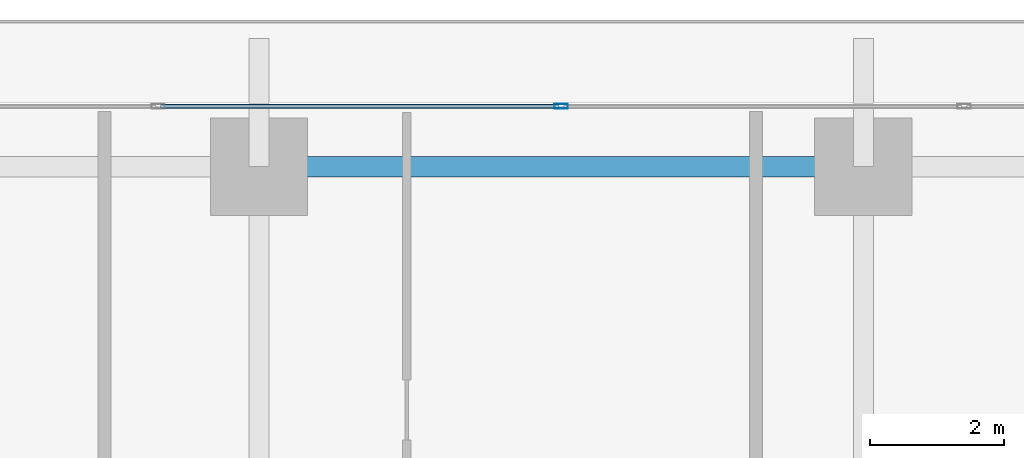
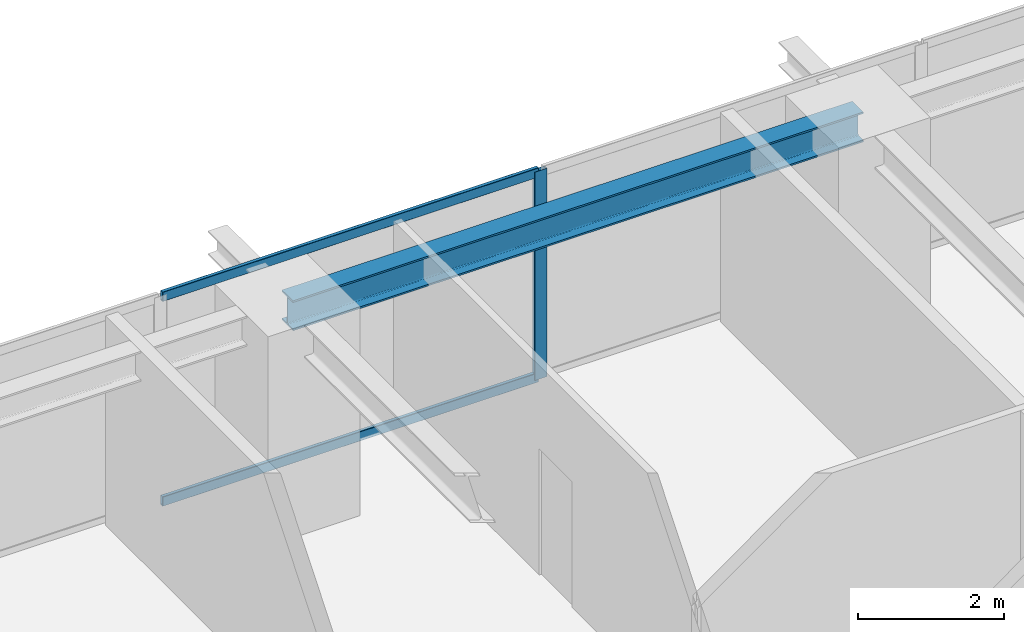
# One storey, part 20 of 39: 3 members, 1 beam, 1 element without a shape of its own.
"""IFC4 building model written with IfcOpenShell, lengths in metres."""

from ifc_helpers import new_model, si_unit, direction, frame, origin, origin_2d, place, context, subcontext, project, spatial, hollow_rectangle, i_section, extrude, source, transform, mapped, material, layer, layer_set, material_profile, profile_set, type_object, element, aggregate, save


model = new_model("IFC4")

# Units and contexts
model_context = context("Model", 3, precision=1e-05, world=origin(), true_north=direction((0.0, 1.0)))
body_context = subcontext(model_context, "Body", "Model", "MODEL_VIEW")
ifc_project = project(units=[si_unit("LENGTHUNIT", "METRE"), si_unit("AREAUNIT", "SQUARE_METRE"), si_unit("VOLUMEUNIT", "CUBIC_METRE"), si_unit("PLANEANGLEUNIT", "RADIAN"), si_unit("MASSUNIT", "GRAM", prefix="KILO")], contexts=[model_context])

# Site, building, storey
site_placement = place(None, origin())
site = spatial("IfcSite", under=ifc_project, at=site_placement, CompositionType="ELEMENT")
building_placement = place(site_placement, origin())
building = spatial("IfcBuilding", under=site, at=building_placement, Name="Serunith Strait Residences", CompositionType="ELEMENT")
storey_placement = place(building_placement, frame((0.0, 0.0, 60.449951171875)))
storey = spatial("IfcBuildingStorey", under=building, at=storey_placement, Name="L14", CompositionType="ELEMENT", Elevation=60.449951171875)

# Beam
ifc_material_1 = material(Name="Steel S355J2", Category="steel")
ifc_material_profile_1 = material_profile(ifc_material_1, i_section(OverallWidth=0.300048828125, OverallDepth=0.5, WebThickness=0.014404296875, FlangeThickness=0.028076171875, FilletRadius=0.027099609375, at=origin_2d()), Name="HEB 500")
ifc_profile_set_1 = profile_set([ifc_material_profile_1], Name="Steel S355J2")
beam_type = type_object("IfcBeamType", Name="BM-HEB500", PredefinedType="BEAM", material=ifc_profile_set_1)
shared_shape_1 = source(origin(), body_context, "Body", "SweptSolid", [
    extrude(i_section(OverallWidth=0.300048828125, OverallDepth=0.5, WebThickness=0.014404296875, FlangeThickness=0.028076171875, FilletRadius=0.027099609375, at=origin_2d()), origin(), (0.0, 0.0, 1.0), 9.0),
])
beam_placement = place(storey_placement, frame((36.89990234375, 49.300048828125, 3.237060546875), z_axis=(-1.0, 0.0, 0.0), x_axis=(0.0, -1.0, 0.0)))
element("IfcBeam", 1, at=beam_placement, inside=storey, type_object=beam_type, Name="L14 Perimeter Ring Beam 10", PredefinedType="BEAM", context=body_context, shape_type="MappedRepresentation", body=[
    mapped(shared_shape_1, transform((0.0, 0.0, 0.0), scale=1.0)),
])

# Curtain wall, members
ifc_material_2 = material(Name="Pale-Champagne Anodised Aluminium", Category="aluminium")
ifc_layer = layer(ifc_material_2, 0.199951171875, Name="Pale-Champagne Anodised Aluminium")
ifc_layer_set = layer_set([ifc_layer], Name="Pale-Champagne Anodised Aluminium")
curtain_wall_type = type_object("IfcCurtainWallType", Name="CW-SYS1", PredefinedType="NOTDEFINED", material=ifc_layer_set)
curtain_wall_placement = place(storey_placement, origin())
curtain_wall = element("IfcCurtainWall", 2, at=curtain_wall_placement, inside=storey, type_object=curtain_wall_type, Name="L14 N Unitised Fritted Curtain Wall", PredefinedType="NOTDEFINED")
ifc_material_profile_2 = material_profile(ifc_material_2, hollow_rectangle(XDim=0.070068359375, YDim=0.199951171875, WallThickness=0.00390625, InnerFilletRadius=0.006103515625, OuterFilletRadius=0.010009765625, at=origin_2d()), Name="ALU 200x70x4")
ifc_profile_set_2 = profile_set([ifc_material_profile_2], Name="Pale-Champagne Anodised Aluminium")
member_type_1 = type_object("IfcMemberType", Name="CW-SYS1-MULL", PredefinedType="MULLION", material=ifc_profile_set_2)
shared_shape_2 = source(origin(), body_context, "Body", "SweptSolid", [
    extrude(hollow_rectangle(XDim=0.070068359375, YDim=0.199951171875, WallThickness=0.00390625, InnerFilletRadius=0.006103515625, OuterFilletRadius=0.010009765625, at=origin_2d()), origin(), (0.0, 0.0, 1.0), 3.47509765625),
])
member_1_placement = place(storey_placement, frame((32.39990234375, 50.199951171875, 0.0), z_axis=(0.0, 0.0, 1.0), x_axis=(0.0, -1.0, 0.0)))
member_1 = element("IfcMember", 3, at=member_1_placement, type_object=member_type_1, Name="CW-1 mullion 4", PredefinedType="MULLION", context=body_context, shape_type="MappedRepresentation", body=[
    mapped(shared_shape_2, transform((0.0, 0.0, 0.0), scale=1.0)),
])
ifc_material_profile_3 = material_profile(ifc_material_2, hollow_rectangle(XDim=0.06005859375, YDim=0.159912109375, WallThickness=0.00341796875, InnerFilletRadius=0.00537109375, OuterFilletRadius=0.0087890625, at=origin_2d()), Name="ALU 160x60x3.5")
ifc_profile_set_3 = profile_set([ifc_material_profile_3], Name="Pale-Champagne Anodised Aluminium")
member_type_2 = type_object("IfcMemberType", Name="CW-SYS1-TRAN", PredefinedType="USERDEFINED", material=ifc_profile_set_3)
shared_shape_3 = source(origin(), body_context, "Body", "SweptSolid", [
    extrude(hollow_rectangle(XDim=0.06005859375, YDim=0.159912109375, WallThickness=0.00341796875, InnerFilletRadius=0.00537109375, OuterFilletRadius=0.0087890625, at=origin_2d()), origin(), (0.0, 0.0, 1.0), 5.929931640625),
])
member_2_placement = place(storey_placement, frame((32.364990234375, 50.199951171875, 0.030029296875), z_axis=(-1.0, 0.0, 0.0), x_axis=(0.0, -1.0, 0.0)))
member_2 = element("IfcMember", 4, at=member_2_placement, type_object=member_type_2, Name="CW-1 transom 4.1", ObjectType="TRANSOM", PredefinedType="USERDEFINED", context=body_context, shape_type="MappedRepresentation", body=[
    mapped(shared_shape_3, transform((0.0, 0.0, 0.0), scale=1.0)),
])
member_3_placement = place(storey_placement, frame((32.364990234375, 50.199951171875, 3.445068359375), z_axis=(-1.0, 0.0, 0.0), x_axis=(0.0, -1.0, 0.0)))
member_3 = element("IfcMember", 5, at=member_3_placement, type_object=member_type_2, Name="CW-1 transom 4.2", ObjectType="TRANSOM", PredefinedType="USERDEFINED", context=body_context, shape_type="MappedRepresentation", body=[
    mapped(shared_shape_3, transform((0.0, 0.0, 0.0), scale=1.0)),
])
aggregate(curtain_wall, [member_1, member_2, member_3])

save(model, "model.ifc")
